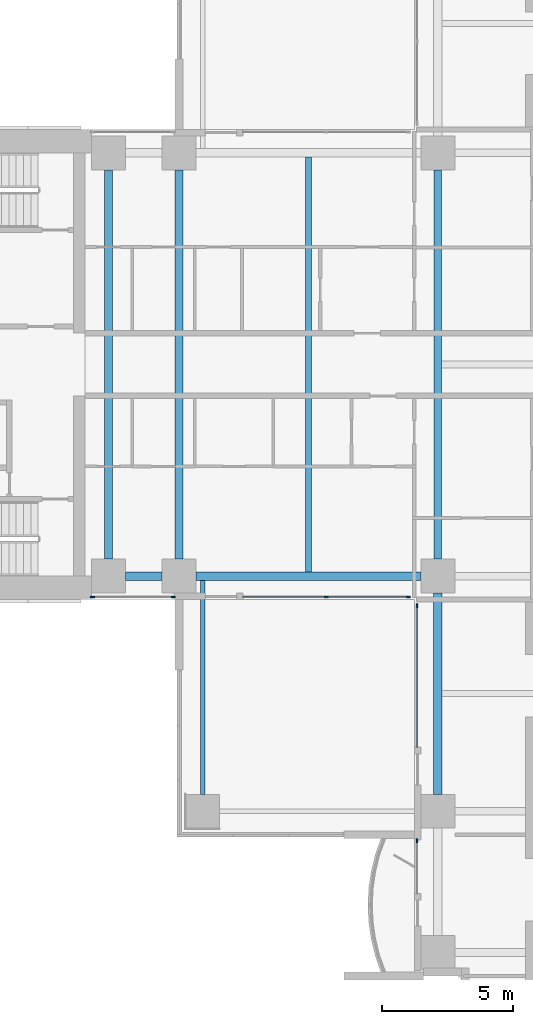
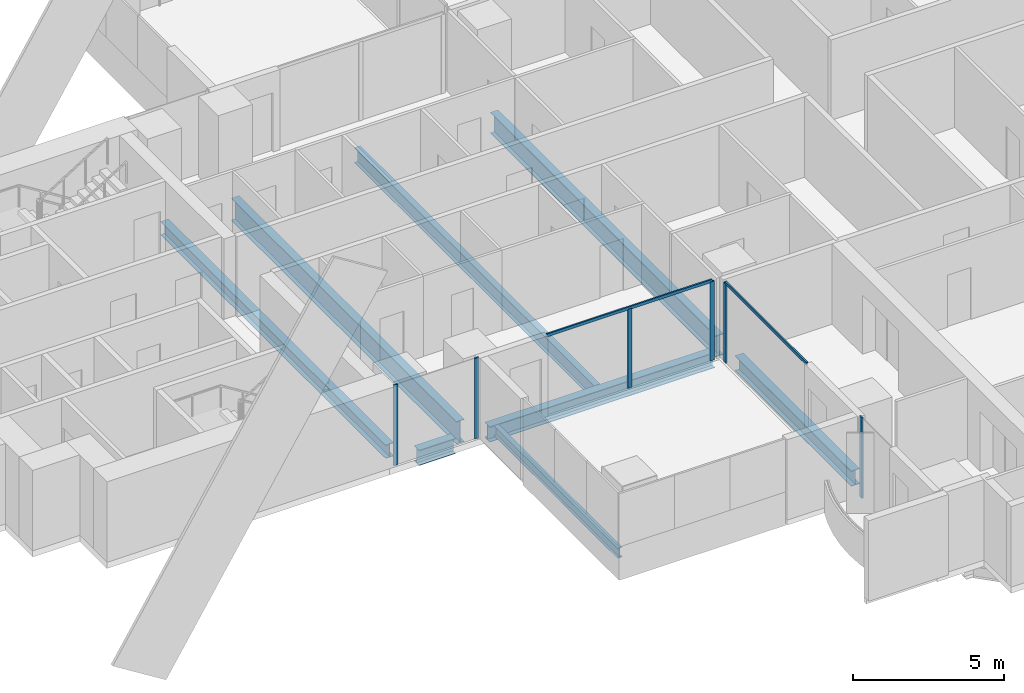
# One storey, part 2 of 21: 8 beams, 8 members, 4 elements without a shape of their own.
"""IFC4 building model written with IfcOpenShell, lengths in metres."""

from ifc_helpers import new_model, si_unit, direction, frame, origin, origin_2d, place, context, subcontext, project, spatial, rectangle, i_section, extrude, material, material_profile, profile_set, type_object, element, aggregate, save


model = new_model("IFC4")

# Units and contexts
model_context = context("Model", 3, precision=1e-05, world=origin(), true_north=direction((0.0, 1.0)))
body_context = subcontext(model_context, "Body", "Model", "MODEL_VIEW")
ifc_project = project(units=[si_unit("LENGTHUNIT", "METRE"), si_unit("AREAUNIT", "SQUARE_METRE"), si_unit("VOLUMEUNIT", "CUBIC_METRE"), si_unit("PLANEANGLEUNIT", "RADIAN"), si_unit("MASSUNIT", "GRAM", prefix="KILO")], contexts=[model_context])

# Site, building, storey
site_placement = place(None, origin())
site = spatial("IfcSite", under=ifc_project, at=site_placement, CompositionType="ELEMENT")
building_placement = place(site_placement, origin())
building = spatial("IfcBuilding", under=site, at=building_placement, Name="Perihelion Cross Residences", CompositionType="ELEMENT")
storey_placement = place(building_placement, frame((0.0, 0.0, 75.0)))
storey = spatial("IfcBuildingStorey", under=building, at=storey_placement, Name="L16", CompositionType="ELEMENT", Elevation=75.0)

# Curtain wall, members
ifc_material_1 = material(Name="Bronze anodised aluminium, tinted glazing", Category="aluminium")
curtain_wall_type = type_object("IfcCurtainWallType", Name="CW1", PredefinedType="NOTDEFINED", material=ifc_material_1)
curtain_wall_1_placement = place(storey_placement, origin())
curtain_wall_1 = element("IfcCurtainWall", 1, at=curtain_wall_1_placement, inside=storey, type_object=curtain_wall_type, Name="Curtain wall CW1 L16 west side south bay 1", PredefinedType="NOTDEFINED")
ifc_material_2 = material(Name="Bronze anodised aluminium", Category="aluminium")
ifc_material_profile_1 = material_profile(ifc_material_2, rectangle(XDim=0.06005859375, YDim=0.159912109375, at=origin_2d()), Name="CW1 mullion")
ifc_profile_set_1 = profile_set([ifc_material_profile_1], Name="Bronze anodised aluminium")
member_type_1 = type_object("IfcMemberType", Name="CW1 mullion", PredefinedType="MULLION", material=ifc_profile_set_1)
member_1_placement = place(storey_placement, frame((-21.320068359375, -8.89990234375, 0.0), z_axis=(0.0, 0.0, 1.0), x_axis=(0.0, 1.0, 0.0)))
member_1 = element("IfcMember", 2, at=member_1_placement, type_object=member_type_1, Name="CW1 mullion 1", PredefinedType="MULLION", context=body_context, shape_type="SweptSolid", body=[
    extrude(rectangle(XDim=0.06005859375, YDim=0.159912109375, at=origin_2d()), origin(), (0.0, 0.0, 1.0), 3.25),
])
member_2_placement = place(storey_placement, frame((-18.22998046875, -8.89990234375, 0.0), z_axis=(0.0, 0.0, 1.0), x_axis=(0.0, 1.0, 0.0)))
member_2 = element("IfcMember", 3, at=member_2_placement, type_object=member_type_1, Name="CW1 mullion 2", PredefinedType="MULLION", context=body_context, shape_type="SweptSolid", body=[
    extrude(rectangle(XDim=0.06005859375, YDim=0.159912109375, at=origin_2d()), origin(), (0.0, 0.0, 1.0), 3.25),
])
aggregate(curtain_wall_1, [member_1, member_2])

curtain_wall_2_placement = place(storey_placement, origin())
curtain_wall_2 = element("IfcCurtainWall", 4, at=curtain_wall_2_placement, inside=storey, type_object=curtain_wall_type, Name="Curtain wall CW1 L16 west side south bay 2", PredefinedType="NOTDEFINED")
member_3_placement = place(storey_placement, frame((-12.375, -8.89990234375, 0.0), z_axis=(0.0, 0.0, 1.0), x_axis=(0.0, 1.0, 0.0)))
member_3 = element("IfcMember", 5, at=member_3_placement, type_object=member_type_1, Name="CW1 mullion 2", PredefinedType="MULLION", context=body_context, shape_type="SweptSolid", body=[
    extrude(rectangle(XDim=0.06005859375, YDim=0.159912109375, at=origin_2d()), origin(), (0.0, 0.0, 1.0), 3.18994140625),
])
member_4_placement = place(storey_placement, frame((-9.22998046875, -8.89990234375, 0.0), z_axis=(0.0, 0.0, 1.0), x_axis=(0.0, 1.0, 0.0)))
member_4 = element("IfcMember", 6, at=member_4_placement, type_object=member_type_1, Name="CW1 mullion 3", PredefinedType="MULLION", context=body_context, shape_type="SweptSolid", body=[
    extrude(rectangle(XDim=0.06005859375, YDim=0.159912109375, at=origin_2d()), origin(), (0.0, 0.0, 1.0), 3.18994140625),
])

# Curtain wall, member
curtain_wall_3_placement = place(storey_placement, origin())
curtain_wall_3 = element("IfcCurtainWall", 7, at=curtain_wall_3_placement, inside=storey, type_object=curtain_wall_type, Name="Curtain wall CW1 L16 south side west bay 1", PredefinedType="NOTDEFINED")
member_5_placement = place(storey_placement, frame((-8.89990234375, -9.22998046875, 0.0), z_axis=(0.0, 0.0, 1.0), x_axis=(1.0, 0.0, 0.0)))
member_5 = element("IfcMember", 8, at=member_5_placement, type_object=member_type_1, Name="CW1 mullion 1", PredefinedType="MULLION", context=body_context, shape_type="SweptSolid", body=[
    extrude(rectangle(XDim=0.06005859375, YDim=0.159912109375, at=origin_2d()), origin(), (0.0, 0.0, 1.0), 3.18994140625),
])

curtain_wall_4_placement = place(storey_placement, origin())
curtain_wall_4 = element("IfcCurtainWall", 9, at=curtain_wall_4_placement, inside=storey, type_object=curtain_wall_type, Name="Curtain wall CW1 L16 south side west bay 2", PredefinedType="NOTDEFINED")
member_6_placement = place(storey_placement, frame((-8.89990234375, -18.22998046875, 0.0), z_axis=(0.0, 0.0, 1.0), x_axis=(1.0, 0.0, 0.0)))
member_6 = element("IfcMember", 10, at=member_6_placement, type_object=member_type_1, Name="CW1 mullion 1", PredefinedType="MULLION", context=body_context, shape_type="SweptSolid", body=[
    extrude(rectangle(XDim=0.06005859375, YDim=0.159912109375, at=origin_2d()), origin(), (0.0, 0.0, 1.0), 3.25),
])
aggregate(curtain_wall_4, [member_6])

# Member
ifc_material_3 = material(Name="Bronze anodised aluminium", Category="aluminium")
ifc_material_profile_2 = material_profile(ifc_material_3, rectangle(XDim=0.06005859375, YDim=0.1201171875, at=origin_2d()), Name="CW1 transom")
ifc_profile_set_2 = profile_set([ifc_material_profile_2], Name="Bronze anodised aluminium")
member_type_2 = type_object("IfcMemberType", Name="CW1 transom", PredefinedType="USERDEFINED", material=ifc_profile_set_2)
member_7_placement = place(storey_placement, frame((-15.550048828125, -8.89990234375, 3.219970703125), z_axis=(1.0, 0.0, 0.0), x_axis=(0.0, 1.0, 0.0)))
member_7 = element("IfcMember", 11, at=member_7_placement, type_object=member_type_2, Name="CW1 head transom", ObjectType="TRANSOM", PredefinedType="USERDEFINED", context=body_context, shape_type="SweptSolid", body=[
    extrude(rectangle(XDim=0.06005859375, YDim=0.1201171875, at=origin_2d()), origin(), (0.0, 0.0, 1.0), 6.320068359375),
])

aggregate(curtain_wall_2, [member_3, member_4, member_7])

member_8_placement = place(storey_placement, frame((-8.89990234375, -9.22998046875, 3.219970703125), z_axis=(0.0, -1.0, 0.0), x_axis=(1.0, 0.0, 0.0)))
member_8 = element("IfcMember", 12, at=member_8_placement, type_object=member_type_2, Name="CW1 head transom", ObjectType="TRANSOM", PredefinedType="USERDEFINED", context=body_context, shape_type="SweptSolid", body=[
    extrude(rectangle(XDim=0.06005859375, YDim=0.1201171875, at=origin_2d()), origin(), (0.0, 0.0, 1.0), 5.419921875),
])

aggregate(curtain_wall_3, [member_5, member_8])

# Beams
ifc_material_4 = material(Name="Steel S355", Category="steel")
ifc_material_profile_3 = material_profile(ifc_material_4, i_section(OverallWidth=0.177978515625, OverallDepth=0.406005859375, WebThickness=0.0078125, FlangeThickness=0.0126953125, at=origin_2d()), Name="W410x60")
ifc_profile_set_3 = profile_set([ifc_material_profile_3], Name="Steel S355")
beam_type_1 = type_object("IfcBeamType", Name="Core edge beam W410x60", PredefinedType="BEAM", material=ifc_profile_set_3)
beam_1_placement = place(storey_placement, frame((-17.10009765625, -8.262451171875, -0.452880859375), z_axis=(0.0, -1.0, 0.0), x_axis=(1.0, 0.0, 0.0)))
element("IfcBeam", 13, at=beam_1_placement, inside=storey, type_object=beam_type_1, Name="Core edge beam TB2 L16 corner no. 1", PredefinedType="BEAM", context=body_context, shape_type="SweptSolid", body=[
    extrude(i_section(OverallWidth=0.177978515625, OverallDepth=0.406005859375, WebThickness=0.0078125, FlangeThickness=0.0126953125, at=origin_2d()), origin(), (0.0, 0.0, 1.0), 8.1875),
])
ifc_material_5 = material(Name="Steel S355", Category="steel")
ifc_material_profile_4 = material_profile(ifc_material_5, i_section(OverallWidth=0.31201171875, OverallDepth=0.5439453125, WebThickness=0.0126953125, FlangeThickness=0.020263671875, at=origin_2d()), Name="W530x150")
ifc_profile_set_4 = profile_set([ifc_material_profile_4], Name="Steel S355")
beam_type_2 = type_object("IfcBeamType", Name="Core edge beam W530x150", PredefinedType="BEAM", material=ifc_profile_set_4)
beam_2_placement = place(storey_placement, frame((-20.699951171875, -7.449951171875, -0.52197265625), z_axis=(0.0, 1.0, 0.0), x_axis=(-1.0, 0.0, 0.0)))
element("IfcBeam", 14, at=beam_2_placement, inside=storey, type_object=beam_type_2, Name="Core edge beam TB4 L16 no. 1", PredefinedType="BEAM", context=body_context, shape_type="SweptSolid", body=[
    extrude(i_section(OverallWidth=0.31201171875, OverallDepth=0.5439453125, WebThickness=0.0126953125, FlangeThickness=0.020263671875, at=origin_2d()), origin(), (0.0, 0.0, 1.0), 14.89990234375),
])
ifc_material_6 = material(Name="Steel S355", Category="steel")
ifc_material_profile_5 = material_profile(ifc_material_6, i_section(OverallWidth=0.324951171875, OverallDepth=0.616943359375, WebThickness=0.013916015625, FlangeThickness=0.021484375, at=origin_2d()), Name="W610x174")
ifc_profile_set_5 = profile_set([ifc_material_profile_5], Name="Steel S355")
beam_type_3 = type_object("IfcBeamType", Name="Edge beam W610x174", PredefinedType="SPANDREL", material=ifc_profile_set_5)
beam_3_placement = place(storey_placement, frame((-20.050048828125, -8.10009765625, -0.55859375), z_axis=(1.0, 0.0, 0.0), x_axis=(0.0, 1.0, 0.0)))
element("IfcBeam", 15, at=beam_3_placement, inside=storey, type_object=beam_type_3, Name="Edge beam SB2 L16 no. 3", PredefinedType="SPANDREL", context=body_context, shape_type="SweptSolid", body=[
    extrude(i_section(OverallWidth=0.324951171875, OverallDepth=0.616943359375, WebThickness=0.013916015625, FlangeThickness=0.021484375, at=origin_2d()), origin(), (0.0, 0.0, 1.0), 1.400146484375),
])
beam_4_placement = place(storey_placement, frame((-17.35009765625, -8.10009765625, -0.55859375), z_axis=(1.0, 0.0, 0.0), x_axis=(0.0, 1.0, 0.0)))
element("IfcBeam", 16, at=beam_4_placement, inside=storey, type_object=beam_type_3, Name="Edge beam SB2 L16 no. 1", PredefinedType="SPANDREL", context=body_context, shape_type="SweptSolid", body=[
    extrude(i_section(OverallWidth=0.324951171875, OverallDepth=0.616943359375, WebThickness=0.013916015625, FlangeThickness=0.021484375, at=origin_2d()), origin(), (0.0, 0.0, 1.0), 8.60009765625),
])
beam_5_placement = place(storey_placement, frame((-8.10009765625, -8.75, -0.55859375), z_axis=(0.0, -1.0, 0.0), x_axis=(1.0, 0.0, 0.0)))
element("IfcBeam", 17, at=beam_5_placement, inside=storey, type_object=beam_type_3, Name="Edge beam SB2 L16 no. 6", PredefinedType="SPANDREL", context=body_context, shape_type="SweptSolid", body=[
    extrude(i_section(OverallWidth=0.324951171875, OverallDepth=0.616943359375, WebThickness=0.013916015625, FlangeThickness=0.021484375, at=origin_2d()), origin(), (0.0, 0.0, 1.0), 7.699951171875),
])
ifc_material_7 = material(Name="Steel S355", Category="steel")
ifc_material_profile_6 = material_profile(ifc_material_7, i_section(OverallWidth=0.304931640625, OverallDepth=0.904052734375, WebThickness=0.01513671875, FlangeThickness=0.02001953125, at=origin_2d()), Name="W920x201")
ifc_profile_set_6 = profile_set([ifc_material_profile_6], Name="Steel S355")
beam_type_4 = type_object("IfcBeamType", Name="Floor girder W920x201", PredefinedType="BEAM", material=ifc_profile_set_6)
beam_6_placement = place(storey_placement, frame((-18.0, -7.449951171875, -0.701904296875), z_axis=(0.0, 1.0, 0.0), x_axis=(-1.0, 0.0, 0.0)))
element("IfcBeam", 18, at=beam_6_placement, inside=storey, type_object=beam_type_4, Name="Girder G2 L16 no. 1", PredefinedType="BEAM", context=body_context, shape_type="SweptSolid", body=[
    extrude(i_section(OverallWidth=0.304931640625, OverallDepth=0.904052734375, WebThickness=0.01513671875, FlangeThickness=0.02001953125, at=origin_2d()), origin(), (0.0, 0.0, 1.0), 14.89990234375),
])
ifc_material_8 = material(Name="Steel S355", Category="steel")
ifc_material_profile_7 = material_profile(ifc_material_8, i_section(OverallWidth=0.22900390625, OverallDepth=0.612060546875, WebThickness=0.011962890625, FlangeThickness=0.01953125, at=origin_2d()), Name="W610x125")
ifc_profile_set_7 = profile_set([ifc_material_profile_7], Name="Steel S355")
beam_type_5 = type_object("IfcBeamType", Name="Floor joist W610x125", PredefinedType="JOIST", material=ifc_profile_set_7)
beam_7_placement = place(storey_placement, frame((-13.050048828125, -7.9375, -0.555908203125), z_axis=(0.0, 1.0, 0.0), x_axis=(-1.0, 0.0, 0.0)))
element("IfcBeam", 19, at=beam_7_placement, inside=storey, type_object=beam_type_5, Name="Joist J3 L16 no. 1", PredefinedType="JOIST", context=body_context, shape_type="SweptSolid", body=[
    extrude(i_section(OverallWidth=0.22900390625, OverallDepth=0.612060546875, WebThickness=0.011962890625, FlangeThickness=0.01953125, at=origin_2d()), origin(), (0.0, 0.0, 1.0), 15.875),
])
ifc_material_9 = material(Name="Steel S355", Category="steel")
ifc_material_profile_8 = material_profile(ifc_material_9, i_section(OverallWidth=0.2919921875, OverallDepth=0.85888671875, WebThickness=0.01708984375, FlangeThickness=0.031005859375, at=origin_2d()), Name="W840x251")
ifc_profile_set_8 = profile_set([ifc_material_profile_8], Name="Steel S355")
beam_type_6 = type_object("IfcBeamType", Name="Hub ring girder W840x251", PredefinedType="BEAM", material=ifc_profile_set_8)
beam_8_placement = place(storey_placement, frame((-8.10009765625, 7.449951171875, -0.679443359375), z_axis=(0.0, -1.0, 0.0), x_axis=(1.0, 0.0, 0.0)))
element("IfcBeam", 20, at=beam_8_placement, inside=storey, type_object=beam_type_6, Name="Hub ring girder RG2 L16 no. 2", PredefinedType="BEAM", context=body_context, shape_type="SweptSolid", body=[
    extrude(i_section(OverallWidth=0.2919921875, OverallDepth=0.85888671875, WebThickness=0.01708984375, FlangeThickness=0.031005859375, at=origin_2d()), origin(), (0.0, 0.0, 1.0), 14.89990234375),
])

save(model, "model.ifc")
